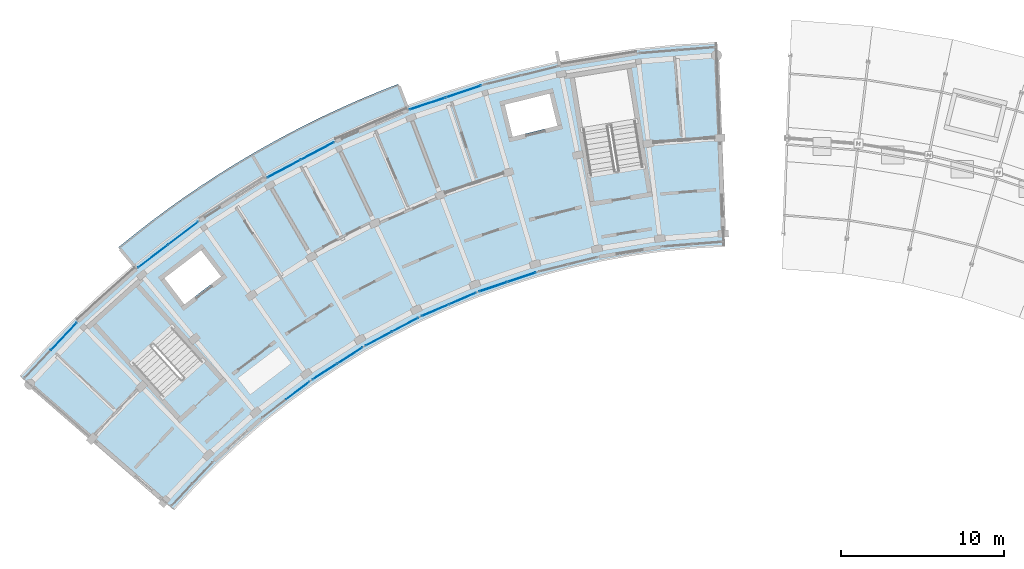
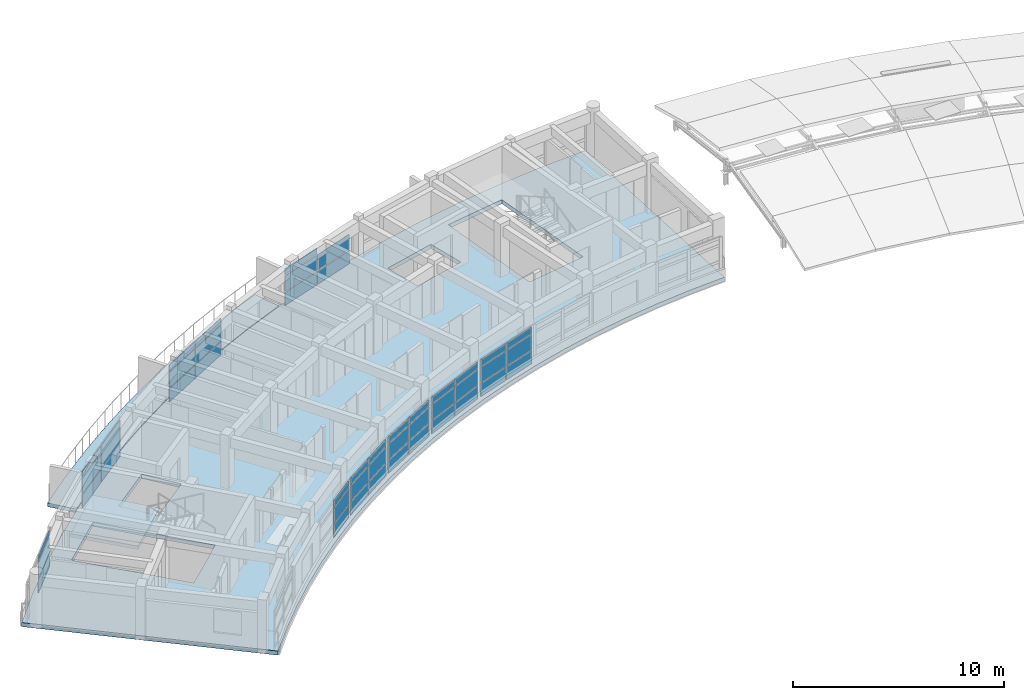
# One storey, part 12 of 20: 47 plates, 3 slabs, 10 elements without a shape of their own.
"""IFC4 building model written with IfcOpenShell, lengths in metres."""

from ifc_helpers import new_model, si_unit, direction, frame, origin, origin_2d, place, context, subcontext, project, spatial, polyline, rectangle, outline, extrude, material, layer, layer_set, type_object, element, aggregate, save


model = new_model("IFC4")

# Units and contexts
model_context = context("Model", 3, precision=1e-05, world=origin(), true_north=direction((0.0, 1.0)))
body_context = subcontext(model_context, "Body", "Model", "MODEL_VIEW")
ifc_project = project(units=[si_unit("LENGTHUNIT", "METRE"), si_unit("AREAUNIT", "SQUARE_METRE"), si_unit("VOLUMEUNIT", "CUBIC_METRE"), si_unit("PLANEANGLEUNIT", "RADIAN"), si_unit("MASSUNIT", "GRAM", prefix="KILO")], contexts=[model_context])

# Site, building, storey
site_placement = place(None, origin())
site = spatial("IfcSite", under=ifc_project, at=site_placement, CompositionType="ELEMENT")
building_placement = place(site_placement, origin())
building = spatial("IfcBuilding", under=site, at=building_placement, Name="Zimvara Arc Housing Community", CompositionType="ELEMENT")
storey_placement = place(building_placement, frame((0.0, 0.0, 39.10009765625)))
storey = spatial("IfcBuildingStorey", under=building, at=storey_placement, Name="L12", CompositionType="ELEMENT", Elevation=39.10009765625)

# Curtain wall, plates
ifc_material_1 = material(Name="Anodised Aluminium AW-6063", Category="aluminium")
curtain_wall_type_1 = type_object("IfcCurtainWallType", Name="CW-SYS-08", PredefinedType="USERDEFINED", material=ifc_material_1)
curtain_wall_1_placement = place(storey_placement, origin())
curtain_wall_1 = element("IfcCurtainWall", 1, at=curtain_wall_1_placement, inside=storey, type_object=curtain_wall_type_1, Name="cw:blkA:L12:out:b4", ObjectType="CURTAIN WALL", PredefinedType="USERDEFINED")
ifc_material_2 = material(Name="Pale-Gold Anodised Aluminium Spandrel Panel", Category="aluminium")
ifc_layer_1 = layer(ifc_material_2, 0.035888671875)
ifc_layer_set_1 = layer_set([ifc_layer_1], Name="Pale-Gold Anodised Aluminium Spandrel Panel")
plate_type_1 = type_object("IfcPlateType", Name="CWP-GLD-36", PredefinedType="CURTAIN_PANEL", material=ifc_layer_set_1)
plate_1_placement = place(storey_placement, frame((16.1708984375, 96.36865234375, 0.06494140625), z_axis=(0.0, 0.0, 1.0), x_axis=(0.883438614651, 0.468546917761, 0.0)))
plate_1 = element("IfcPlate", 2, at=plate_1_placement, type_object=plate_type_1, Name="CW08 panel 1.1", PredefinedType="CURTAIN_PANEL", context=body_context, shape_type="SweptSolid", body=[
    extrude(rectangle(XDim=2.266845703125, YDim=0.035888671875, at=origin_2d()), origin(), (0.0, 0.0, 1.0), 0.75244140625),
])
plate_2_placement = place(storey_placement, frame((16.1708984375, 96.36865234375, 0.88232421875), z_axis=(0.0, 0.0, 1.0), x_axis=(0.883438614651, 0.468546917761, 0.0)))
plate_2 = element("IfcPlate", 3, at=plate_2_placement, type_object=plate_type_1, Name="CW08 panel 1.2", PredefinedType="CURTAIN_PANEL", context=body_context, shape_type="SweptSolid", body=[
    extrude(rectangle(XDim=2.266845703125, YDim=0.035888671875, at=origin_2d()), origin(), (0.0, 0.0, 1.0), 0.885009765625),
])
plate_3_placement = place(storey_placement, frame((16.1708984375, 96.36865234375, 1.832275390625), z_axis=(0.0, 0.0, 1.0), x_axis=(0.883438614651, 0.468546917761, 0.0)))
plate_3 = element("IfcPlate", 4, at=plate_3_placement, type_object=plate_type_1, Name="CW08 panel 1.3", PredefinedType="CURTAIN_PANEL", context=body_context, shape_type="SweptSolid", body=[
    extrude(rectangle(XDim=2.266845703125, YDim=0.035888671875, at=origin_2d()), origin(), (0.0, 0.0, 1.0), 0.3525390625),
])
plate_4_placement = place(storey_placement, frame((18.23095703125, 97.461181640625, 0.06494140625), z_axis=(0.0, 0.0, 1.0), x_axis=(0.883438614651, 0.468546917761, 0.0)))
plate_4 = element("IfcPlate", 5, at=plate_4_placement, type_object=plate_type_1, Name="CW08 panel 2.1", PredefinedType="CURTAIN_PANEL", context=body_context, shape_type="SweptSolid", body=[
    extrude(rectangle(XDim=2.266845703125, YDim=0.035888671875, at=origin_2d()), origin(), (0.0, 0.0, 1.0), 0.75244140625),
])
plate_5_placement = place(storey_placement, frame((18.23095703125, 97.461181640625, 0.88232421875), z_axis=(0.0, 0.0, 1.0), x_axis=(0.883438614651, 0.468546917761, 0.0)))
plate_5 = element("IfcPlate", 6, at=plate_5_placement, type_object=plate_type_1, Name="CW08 panel 2.2", PredefinedType="CURTAIN_PANEL", context=body_context, shape_type="SweptSolid", body=[
    extrude(rectangle(XDim=2.266845703125, YDim=0.035888671875, at=origin_2d()), origin(), (0.0, 0.0, 1.0), 0.885009765625),
])
plate_6_placement = place(storey_placement, frame((18.23095703125, 97.461181640625, 1.832275390625), z_axis=(0.0, 0.0, 1.0), x_axis=(0.883438614651, 0.468546917761, 0.0)))
plate_6 = element("IfcPlate", 7, at=plate_6_placement, type_object=plate_type_1, Name="CW08 panel 2.3", PredefinedType="CURTAIN_PANEL", context=body_context, shape_type="SweptSolid", body=[
    extrude(rectangle(XDim=2.266845703125, YDim=0.035888671875, at=origin_2d()), origin(), (0.0, 0.0, 1.0), 0.3525390625),
])
aggregate(curtain_wall_1, [plate_1, plate_2, plate_3, plate_4, plate_5, plate_6])

ifc_material_3 = material(Name="Anodised Aluminium AW-6063", Category="aluminium")
curtain_wall_type_2 = type_object("IfcCurtainWallType", Name="CW-SYS-04", PredefinedType="USERDEFINED", material=ifc_material_3)
curtain_wall_2_placement = place(storey_placement, origin())
curtain_wall_2 = element("IfcCurtainWall", 8, at=curtain_wall_2_placement, inside=storey, type_object=curtain_wall_type_2, Name="cw:blkA:L12:in:b6", ObjectType="CURTAIN WALL", PredefinedType="USERDEFINED")
plate_7_placement = place(storey_placement, frame((29.029541015625, 89.1171875, 0.06494140625), z_axis=(0.0, 0.0, 1.0), x_axis=(0.94788021002, 0.318626909491, 0.0)))
plate_7 = element("IfcPlate", 9, at=plate_7_placement, type_object=plate_type_1, Name="CW04 panel 1.1", PredefinedType="CURTAIN_PANEL", context=body_context, shape_type="SweptSolid", body=[
    extrude(rectangle(XDim=1.778564453125, YDim=0.035888671875, at=origin_2d()), origin(), (0.0, 0.0, 1.0), 0.75244140625),
])
plate_8_placement = place(storey_placement, frame((29.029541015625, 89.1171875, 0.88232421875), z_axis=(0.0, 0.0, 1.0), x_axis=(0.94788021002, 0.318626909491, 0.0)))
plate_8 = element("IfcPlate", 10, at=plate_8_placement, type_object=plate_type_1, Name="CW04 panel 1.2", PredefinedType="CURTAIN_PANEL", context=body_context, shape_type="SweptSolid", body=[
    extrude(rectangle(XDim=1.778564453125, YDim=0.035888671875, at=origin_2d()), origin(), (0.0, 0.0, 1.0), 0.885009765625),
])
plate_9_placement = place(storey_placement, frame((29.029541015625, 89.1171875, 1.832275390625), z_axis=(0.0, 0.0, 1.0), x_axis=(0.94788021002, 0.318626909491, 0.0)))
plate_9 = element("IfcPlate", 11, at=plate_9_placement, type_object=plate_type_1, Name="CW04 panel 1.3", PredefinedType="CURTAIN_PANEL", context=body_context, shape_type="SweptSolid", body=[
    extrude(rectangle(XDim=1.778564453125, YDim=0.035888671875, at=origin_2d()), origin(), (0.0, 0.0, 1.0), 0.3525390625),
])
plate_10_placement = place(storey_placement, frame((30.777099609375, 89.70458984375, 0.06494140625), z_axis=(0.0, 0.0, 1.0), x_axis=(0.94788021002, 0.318626909491, 0.0)))
plate_10 = element("IfcPlate", 12, at=plate_10_placement, type_object=plate_type_1, Name="CW04 panel 2.1", PredefinedType="CURTAIN_PANEL", context=body_context, shape_type="SweptSolid", body=[
    extrude(rectangle(XDim=1.778564453125, YDim=0.035888671875, at=origin_2d()), origin(), (0.0, 0.0, 1.0), 0.75244140625),
])
plate_11_placement = place(storey_placement, frame((30.777099609375, 89.70458984375, 0.88232421875), z_axis=(0.0, 0.0, 1.0), x_axis=(0.94788021002, 0.318626909491, 0.0)))
plate_11 = element("IfcPlate", 13, at=plate_11_placement, type_object=plate_type_1, Name="CW04 panel 2.2", PredefinedType="CURTAIN_PANEL", context=body_context, shape_type="SweptSolid", body=[
    extrude(rectangle(XDim=1.778564453125, YDim=0.035888671875, at=origin_2d()), origin(), (0.0, 0.0, 1.0), 0.885009765625),
])
plate_12_placement = place(storey_placement, frame((30.777099609375, 89.70458984375, 1.832275390625), z_axis=(0.0, 0.0, 1.0), x_axis=(0.94788021002, 0.318626909491, 0.0)))
plate_12 = element("IfcPlate", 14, at=plate_12_placement, type_object=plate_type_1, Name="CW04 panel 2.3", PredefinedType="CURTAIN_PANEL", context=body_context, shape_type="SweptSolid", body=[
    extrude(rectangle(XDim=1.778564453125, YDim=0.035888671875, at=origin_2d()), origin(), (0.0, 0.0, 1.0), 0.3525390625),
])
aggregate(curtain_wall_2, [plate_7, plate_8, plate_9, plate_10, plate_11, plate_12])

ifc_material_4 = material(Name="Anodised Aluminium AW-6063", Category="aluminium")
curtain_wall_type_3 = type_object("IfcCurtainWallType", Name="CW-SYS-05", PredefinedType="USERDEFINED", material=ifc_material_4)
curtain_wall_3_placement = place(storey_placement, origin())
curtain_wall_3 = element("IfcCurtainWall", 15, at=curtain_wall_3_placement, inside=storey, type_object=curtain_wall_type_3, Name="cw:blkA:L12:out:b2", ObjectType="CURTAIN WALL", PredefinedType="USERDEFINED")
ifc_material_5 = material(Name="Solar Control Low-E Double Glazing", Category="glass")
ifc_layer_2 = layer(ifc_material_5, 0.02392578125)
ifc_layer_set_2 = layer_set([ifc_layer_2], Name="Solar Control Low-E Double Glazing")
plate_type_2 = type_object("IfcPlateType", Name="CWP-GLZ-24", PredefinedType="CURTAIN_PANEL", material=ifc_layer_set_2)
plate_13_placement = place(storey_placement, frame((8.118896484375, 90.9892578125, 0.06494140625), z_axis=(0.0, 0.0, 1.0), x_axis=(0.795473999177, 0.60598771987, 0.0)))
plate_13 = element("IfcPlate", 16, at=plate_13_placement, type_object=plate_type_2, Name="CW05 panel 1.1", PredefinedType="CURTAIN_PANEL", context=body_context, shape_type="SweptSolid", body=[
    extrude(rectangle(XDim=2.266845703125, YDim=0.02392578125, at=origin_2d()), origin(), (0.0, 0.0, 1.0), 0.75244140625),
])
plate_14_placement = place(storey_placement, frame((8.118896484375, 90.9892578125, 0.88232421875), z_axis=(0.0, 0.0, 1.0), x_axis=(0.795473999177, 0.60598771987, 0.0)))
plate_14 = element("IfcPlate", 17, at=plate_14_placement, type_object=plate_type_2, Name="CW05 panel 1.2", PredefinedType="CURTAIN_PANEL", context=body_context, shape_type="SweptSolid", body=[
    extrude(rectangle(XDim=2.266845703125, YDim=0.02392578125, at=origin_2d()), origin(), (0.0, 0.0, 1.0), 0.885009765625),
])
plate_15_placement = place(storey_placement, frame((8.118896484375, 90.9892578125, 1.832275390625), z_axis=(0.0, 0.0, 1.0), x_axis=(0.795473999177, 0.60598771987, 0.0)))
plate_15 = element("IfcPlate", 18, at=plate_15_placement, type_object=plate_type_2, Name="CW05 panel 1.3", PredefinedType="CURTAIN_PANEL", context=body_context, shape_type="SweptSolid", body=[
    extrude(rectangle(XDim=2.266845703125, YDim=0.02392578125, at=origin_2d()), origin(), (0.0, 0.0, 1.0), 0.3525390625),
])
plate_16_placement = place(storey_placement, frame((9.973876953125, 92.40234375, 0.06494140625), z_axis=(0.0, 0.0, 1.0), x_axis=(0.795473999177, 0.60598771987, 0.0)))
plate_16 = element("IfcPlate", 19, at=plate_16_placement, type_object=plate_type_2, Name="CW05 panel 2.1", PredefinedType="CURTAIN_PANEL", context=body_context, shape_type="SweptSolid", body=[
    extrude(rectangle(XDim=2.266845703125, YDim=0.02392578125, at=origin_2d()), origin(), (0.0, 0.0, 1.0), 0.75244140625),
])
plate_17_placement = place(storey_placement, frame((9.973876953125, 92.40234375, 0.88232421875), z_axis=(0.0, 0.0, 1.0), x_axis=(0.795473999177, 0.60598771987, 0.0)))
plate_17 = element("IfcPlate", 20, at=plate_17_placement, type_object=plate_type_2, Name="CW05 panel 2.2", PredefinedType="CURTAIN_PANEL", context=body_context, shape_type="SweptSolid", body=[
    extrude(rectangle(XDim=2.266845703125, YDim=0.02392578125, at=origin_2d()), origin(), (0.0, 0.0, 1.0), 0.885009765625),
])
plate_18_placement = place(storey_placement, frame((9.973876953125, 92.40234375, 1.832275390625), z_axis=(0.0, 0.0, 1.0), x_axis=(0.795473999177, 0.60598771987, 0.0)))
plate_18 = element("IfcPlate", 21, at=plate_18_placement, type_object=plate_type_2, Name="CW05 panel 2.3", PredefinedType="CURTAIN_PANEL", context=body_context, shape_type="SweptSolid", body=[
    extrude(rectangle(XDim=2.266845703125, YDim=0.02392578125, at=origin_2d()), origin(), (0.0, 0.0, 1.0), 0.3525390625),
])
aggregate(curtain_wall_3, [plate_13, plate_14, plate_15, plate_16, plate_17, plate_18])

ifc_material_6 = material(Name="Anodised Aluminium AW-6063", Category="aluminium")
curtain_wall_type_4 = type_object("IfcCurtainWallType", Name="CW-SYS-01", PredefinedType="USERDEFINED", material=ifc_material_6)
curtain_wall_4_placement = place(storey_placement, origin())
curtain_wall_4 = element("IfcCurtainWall", 22, at=curtain_wall_4_placement, inside=storey, type_object=curtain_wall_type_4, Name="cw:blkA:L12:in:b4", ObjectType="CURTAIN WALL", PredefinedType="USERDEFINED")
plate_19_placement = place(storey_placement, frame((21.985595703125, 85.92578125, 0.06494140625), z_axis=(0.0, 0.0, 1.0), x_axis=(0.883438518424, 0.468547099195, 0.0)))
plate_19 = element("IfcPlate", 23, at=plate_19_placement, type_object=plate_type_2, Name="CW01 panel 1.1", PredefinedType="CURTAIN_PANEL", context=body_context, shape_type="SweptSolid", body=[
    extrude(rectangle(XDim=1.778564453125, YDim=0.02392578125, at=origin_2d()), origin(), (0.0, 0.0, 1.0), 0.75244140625),
])
plate_20_placement = place(storey_placement, frame((21.985595703125, 85.92578125, 0.88232421875), z_axis=(0.0, 0.0, 1.0), x_axis=(0.883438518424, 0.468547099195, 0.0)))
plate_20 = element("IfcPlate", 24, at=plate_20_placement, type_object=plate_type_2, Name="CW01 panel 1.2", PredefinedType="CURTAIN_PANEL", context=body_context, shape_type="SweptSolid", body=[
    extrude(rectangle(XDim=1.778564453125, YDim=0.02392578125, at=origin_2d()), origin(), (0.0, 0.0, 1.0), 0.885009765625),
])
plate_21_placement = place(storey_placement, frame((21.985595703125, 85.92578125, 1.832275390625), z_axis=(0.0, 0.0, 1.0), x_axis=(0.883438518424, 0.468547099195, 0.0)))
plate_21 = element("IfcPlate", 25, at=plate_21_placement, type_object=plate_type_2, Name="CW01 panel 1.3", PredefinedType="CURTAIN_PANEL", context=body_context, shape_type="SweptSolid", body=[
    extrude(rectangle(XDim=1.778564453125, YDim=0.02392578125, at=origin_2d()), origin(), (0.0, 0.0, 1.0), 0.3525390625),
])
plate_22_placement = place(storey_placement, frame((23.614501953125, 86.78955078125, 0.06494140625), z_axis=(0.0, 0.0, 1.0), x_axis=(0.883438518424, 0.468547099195, 0.0)))
plate_22 = element("IfcPlate", 26, at=plate_22_placement, type_object=plate_type_2, Name="CW01 panel 2.1", PredefinedType="CURTAIN_PANEL", context=body_context, shape_type="SweptSolid", body=[
    extrude(rectangle(XDim=1.778564453125, YDim=0.02392578125, at=origin_2d()), origin(), (0.0, 0.0, 1.0), 0.75244140625),
])
plate_23_placement = place(storey_placement, frame((23.614501953125, 86.78955078125, 0.88232421875), z_axis=(0.0, 0.0, 1.0), x_axis=(0.883438518424, 0.468547099195, 0.0)))
plate_23 = element("IfcPlate", 27, at=plate_23_placement, type_object=plate_type_2, Name="CW01 panel 2.2", PredefinedType="CURTAIN_PANEL", context=body_context, shape_type="SweptSolid", body=[
    extrude(rectangle(XDim=1.778564453125, YDim=0.02392578125, at=origin_2d()), origin(), (0.0, 0.0, 1.0), 0.885009765625),
])
plate_24_placement = place(storey_placement, frame((23.614501953125, 86.78955078125, 1.832275390625), z_axis=(0.0, 0.0, 1.0), x_axis=(0.883438518424, 0.468547099195, 0.0)))
plate_24 = element("IfcPlate", 28, at=plate_24_placement, type_object=plate_type_2, Name="CW01 panel 2.3", PredefinedType="CURTAIN_PANEL", context=body_context, shape_type="SweptSolid", body=[
    extrude(rectangle(XDim=1.778564453125, YDim=0.02392578125, at=origin_2d()), origin(), (0.0, 0.0, 1.0), 0.3525390625),
])
aggregate(curtain_wall_4, [plate_19, plate_20, plate_21, plate_22, plate_23, plate_24])

ifc_material_7 = material(Name="Anodised Aluminium AW-6063", Category="aluminium")
curtain_wall_type_5 = type_object("IfcCurtainWallType", Name="CW-SYS-06", PredefinedType="USERDEFINED", material=ifc_material_7)
curtain_wall_5_placement = place(storey_placement, origin())
curtain_wall_5 = element("IfcCurtainWall", 29, at=curtain_wall_5_placement, inside=storey, type_object=curtain_wall_type_5, Name="cw:blkA:L12:in:b2", ObjectType="CURTAIN WALL", PredefinedType="USERDEFINED")
ifc_material_8 = material(Name="Solar Control Low-E Double Glazing", Category="glass")
ifc_layer_3 = layer(ifc_material_8, 0.028076171875)
ifc_layer_set_3 = layer_set([ifc_layer_3], Name="Solar Control Low-E Double Glazing")
plate_type_3 = type_object("IfcPlateType", Name="CWP-GLZ-28", PredefinedType="CURTAIN_PANEL", material=ifc_layer_set_3)
plate_25_placement = place(storey_placement, frame((17.021240234375, 82.74853515625, 0.06494140625), z_axis=(0.0, 0.0, 1.0), x_axis=(0.795473930895, 0.605987809503, 0.0)))
plate_25 = element("IfcPlate", 30, at=plate_25_placement, type_object=plate_type_3, Name="CW06 panel 2.1", PredefinedType="CURTAIN_PANEL", context=body_context, shape_type="SweptSolid", body=[
    extrude(rectangle(XDim=1.778564453125, YDim=0.028076171875, at=origin_2d()), origin(), (0.0, 0.0, 1.0), 0.75244140625),
])
plate_26_placement = place(storey_placement, frame((17.021240234375, 82.74853515625, 0.88232421875), z_axis=(0.0, 0.0, 1.0), x_axis=(0.795473930895, 0.605987809503, 0.0)))
plate_26 = element("IfcPlate", 31, at=plate_26_placement, type_object=plate_type_3, Name="CW06 panel 2.2", PredefinedType="CURTAIN_PANEL", context=body_context, shape_type="SweptSolid", body=[
    extrude(rectangle(XDim=1.778564453125, YDim=0.028076171875, at=origin_2d()), origin(), (0.0, 0.0, 1.0), 0.885009765625),
])
plate_27_placement = place(storey_placement, frame((17.021240234375, 82.74853515625, 1.832275390625), z_axis=(0.0, 0.0, 1.0), x_axis=(0.795473930895, 0.605987809503, 0.0)))
plate_27 = element("IfcPlate", 32, at=plate_27_placement, type_object=plate_type_3, Name="CW06 panel 2.3", PredefinedType="CURTAIN_PANEL", context=body_context, shape_type="SweptSolid", body=[
    extrude(rectangle(XDim=1.778564453125, YDim=0.028076171875, at=origin_2d()), origin(), (0.0, 0.0, 1.0), 0.3525390625),
])
aggregate(curtain_wall_5, [plate_25, plate_26, plate_27])

ifc_material_9 = material(Name="Anodised Aluminium AW-6063", Category="aluminium")
curtain_wall_type_6 = type_object("IfcCurtainWallType", Name="CW-SYS-02", PredefinedType="USERDEFINED", material=ifc_material_9)
curtain_wall_6_placement = place(storey_placement, origin())
curtain_wall_6 = element("IfcCurtainWall", 33, at=curtain_wall_6_placement, inside=storey, type_object=curtain_wall_type_6, Name="cw:blkA:L12:in:b5", ObjectType="CURTAIN WALL", PredefinedType="USERDEFINED")
plate_28_placement = place(storey_placement, frame((25.4423828125, 87.66552734375, 0.06494140625), z_axis=(0.0, 0.0, 1.0), x_axis=(0.918722411261, 0.394903951674, 0.0)))
plate_28 = element("IfcPlate", 34, at=plate_28_placement, type_object=plate_type_3, Name="CW02 panel 1.1", PredefinedType="CURTAIN_PANEL", context=body_context, shape_type="SweptSolid", body=[
    extrude(rectangle(XDim=1.778564453125, YDim=0.028076171875, at=origin_2d()), origin(), (0.0, 0.0, 1.0), 0.75244140625),
])
plate_29_placement = place(storey_placement, frame((25.4423828125, 87.66552734375, 0.88232421875), z_axis=(0.0, 0.0, 1.0), x_axis=(0.918722411261, 0.394903951674, 0.0)))
plate_29 = element("IfcPlate", 35, at=plate_29_placement, type_object=plate_type_3, Name="CW02 panel 1.2", PredefinedType="CURTAIN_PANEL", context=body_context, shape_type="SweptSolid", body=[
    extrude(rectangle(XDim=1.778564453125, YDim=0.028076171875, at=origin_2d()), origin(), (0.0, 0.0, 1.0), 0.885009765625),
])
plate_30_placement = place(storey_placement, frame((25.4423828125, 87.66552734375, 1.832275390625), z_axis=(0.0, 0.0, 1.0), x_axis=(0.918722411261, 0.394903951674, 0.0)))
plate_30 = element("IfcPlate", 36, at=plate_30_placement, type_object=plate_type_3, Name="CW02 panel 1.3", PredefinedType="CURTAIN_PANEL", context=body_context, shape_type="SweptSolid", body=[
    extrude(rectangle(XDim=1.778564453125, YDim=0.028076171875, at=origin_2d()), origin(), (0.0, 0.0, 1.0), 0.3525390625),
])
plate_31_placement = place(storey_placement, frame((27.13623046875, 88.3935546875, 0.06494140625), z_axis=(0.0, 0.0, 1.0), x_axis=(0.918722411261, 0.394903951674, 0.0)))
plate_31 = element("IfcPlate", 37, at=plate_31_placement, type_object=plate_type_3, Name="CW02 panel 2.1", PredefinedType="CURTAIN_PANEL", context=body_context, shape_type="SweptSolid", body=[
    extrude(rectangle(XDim=1.778564453125, YDim=0.028076171875, at=origin_2d()), origin(), (0.0, 0.0, 1.0), 0.75244140625),
])
plate_32_placement = place(storey_placement, frame((27.13623046875, 88.3935546875, 0.88232421875), z_axis=(0.0, 0.0, 1.0), x_axis=(0.918722411261, 0.394903951674, 0.0)))
plate_32 = element("IfcPlate", 38, at=plate_32_placement, type_object=plate_type_3, Name="CW02 panel 2.2", PredefinedType="CURTAIN_PANEL", context=body_context, shape_type="SweptSolid", body=[
    extrude(rectangle(XDim=1.778564453125, YDim=0.028076171875, at=origin_2d()), origin(), (0.0, 0.0, 1.0), 0.885009765625),
])
plate_33_placement = place(storey_placement, frame((27.13623046875, 88.3935546875, 1.832275390625), z_axis=(0.0, 0.0, 1.0), x_axis=(0.918722411261, 0.394903951674, 0.0)))
plate_33 = element("IfcPlate", 39, at=plate_33_placement, type_object=plate_type_3, Name="CW02 panel 2.3", PredefinedType="CURTAIN_PANEL", context=body_context, shape_type="SweptSolid", body=[
    extrude(rectangle(XDim=1.778564453125, YDim=0.028076171875, at=origin_2d()), origin(), (0.0, 0.0, 1.0), 0.3525390625),
])
aggregate(curtain_wall_6, [plate_28, plate_29, plate_30, plate_31, plate_32, plate_33])

ifc_material_10 = material(Name="Anodised Aluminium AW-6063", Category="aluminium")
curtain_wall_type_7 = type_object("IfcCurtainWallType", Name="CW-SYS-03", PredefinedType="USERDEFINED", material=ifc_material_10)
curtain_wall_7_placement = place(storey_placement, origin())
curtain_wall_7 = element("IfcCurtainWall", 40, at=curtain_wall_7_placement, inside=storey, type_object=curtain_wall_type_7, Name="cw:blkA:L12:out:b0", ObjectType="CURTAIN WALL", PredefinedType="USERDEFINED")
ifc_material_11 = material(Name="Acoustic Laminated Solar Glazing", Category="glass")
ifc_layer_4 = layer(ifc_material_11, 0.031982421875)
ifc_layer_set_4 = layer_set([ifc_layer_4], Name="Acoustic Laminated Solar Glazing")
plate_type_4 = type_object("IfcPlateType", Name="CWP-GLZ-32", PredefinedType="CURTAIN_PANEL", material=ifc_layer_set_4)
plate_34_placement = place(storey_placement, frame((2.649658203125, 86.068115234375, 0.06494140625), z_axis=(0.0, 0.0, 1.0), x_axis=(0.686326416495, 0.727293647725, 0.0)))
plate_34 = element("IfcPlate", 41, at=plate_34_placement, type_object=plate_type_4, Name="CW03 panel 2.1", PredefinedType="CURTAIN_PANEL", context=body_context, shape_type="SweptSolid", body=[
    extrude(rectangle(XDim=2.266845703125, YDim=0.031982421875, at=origin_2d()), origin(), (0.0, 0.0, 1.0), 0.75244140625),
])
plate_35_placement = place(storey_placement, frame((2.649658203125, 86.068115234375, 0.88232421875), z_axis=(0.0, 0.0, 1.0), x_axis=(0.686326416495, 0.727293647725, 0.0)))
plate_35 = element("IfcPlate", 42, at=plate_35_placement, type_object=plate_type_4, Name="CW03 panel 2.2", PredefinedType="CURTAIN_PANEL", context=body_context, shape_type="SweptSolid", body=[
    extrude(rectangle(XDim=2.266845703125, YDim=0.031982421875, at=origin_2d()), origin(), (0.0, 0.0, 1.0), 0.885009765625),
])
plate_36_placement = place(storey_placement, frame((2.649658203125, 86.068115234375, 1.832275390625), z_axis=(0.0, 0.0, 1.0), x_axis=(0.686326416495, 0.727293647725, 0.0)))
plate_36 = element("IfcPlate", 43, at=plate_36_placement, type_object=plate_type_4, Name="CW03 panel 2.3", PredefinedType="CURTAIN_PANEL", context=body_context, shape_type="SweptSolid", body=[
    extrude(rectangle(XDim=2.266845703125, YDim=0.031982421875, at=origin_2d()), origin(), (0.0, 0.0, 1.0), 0.3525390625),
])
aggregate(curtain_wall_7, [plate_34, plate_35, plate_36])

ifc_material_12 = material(Name="Anodised Aluminium AW-6063", Category="aluminium")
curtain_wall_type_8 = type_object("IfcCurtainWallType", Name="CW-SYS-07", PredefinedType="USERDEFINED", material=ifc_material_12)
curtain_wall_8_placement = place(storey_placement, origin())
curtain_wall_8 = element("IfcCurtainWall", 44, at=curtain_wall_8_placement, inside=storey, type_object=curtain_wall_type_8, Name="cw:blkA:L12:in:b3", ObjectType="CURTAIN WALL", PredefinedType="USERDEFINED")
plate_37_placement = place(storey_placement, frame((18.682373046875, 83.909912109375, 0.06494140625), z_axis=(0.0, 0.0, 1.0), x_axis=(0.842264092079, 0.539065115913, 0.0)))
plate_37 = element("IfcPlate", 45, at=plate_37_placement, type_object=plate_type_4, Name="CW07 panel 1.1", PredefinedType="CURTAIN_PANEL", context=body_context, shape_type="SweptSolid", body=[
    extrude(rectangle(XDim=1.778564453125, YDim=0.031982421875, at=origin_2d()), origin(), (0.0, 0.0, 1.0), 0.75244140625),
])
plate_38_placement = place(storey_placement, frame((18.682373046875, 83.909912109375, 0.88232421875), z_axis=(0.0, 0.0, 1.0), x_axis=(0.842264092079, 0.539065115913, 0.0)))
plate_38 = element("IfcPlate", 46, at=plate_38_placement, type_object=plate_type_4, Name="CW07 panel 1.2", PredefinedType="CURTAIN_PANEL", context=body_context, shape_type="SweptSolid", body=[
    extrude(rectangle(XDim=1.778564453125, YDim=0.031982421875, at=origin_2d()), origin(), (0.0, 0.0, 1.0), 0.885009765625),
])
plate_39_placement = place(storey_placement, frame((18.682373046875, 83.909912109375, 1.832275390625), z_axis=(0.0, 0.0, 1.0), x_axis=(0.842264092079, 0.539065115913, 0.0)))
plate_39 = element("IfcPlate", 47, at=plate_39_placement, type_object=plate_type_4, Name="CW07 panel 1.3", PredefinedType="CURTAIN_PANEL", context=body_context, shape_type="SweptSolid", body=[
    extrude(rectangle(XDim=1.778564453125, YDim=0.031982421875, at=origin_2d()), origin(), (0.0, 0.0, 1.0), 0.3525390625),
])
plate_40_placement = place(storey_placement, frame((20.2353515625, 84.90380859375, 0.06494140625), z_axis=(0.0, 0.0, 1.0), x_axis=(0.842264092079, 0.539065115913, 0.0)))
plate_40 = element("IfcPlate", 48, at=plate_40_placement, type_object=plate_type_4, Name="CW07 panel 2.1", PredefinedType="CURTAIN_PANEL", context=body_context, shape_type="SweptSolid", body=[
    extrude(rectangle(XDim=1.778564453125, YDim=0.031982421875, at=origin_2d()), origin(), (0.0, 0.0, 1.0), 0.75244140625),
])
plate_41_placement = place(storey_placement, frame((20.2353515625, 84.90380859375, 0.88232421875), z_axis=(0.0, 0.0, 1.0), x_axis=(0.842264092079, 0.539065115913, 0.0)))
plate_41 = element("IfcPlate", 49, at=plate_41_placement, type_object=plate_type_4, Name="CW07 panel 2.2", PredefinedType="CURTAIN_PANEL", context=body_context, shape_type="SweptSolid", body=[
    extrude(rectangle(XDim=1.778564453125, YDim=0.031982421875, at=origin_2d()), origin(), (0.0, 0.0, 1.0), 0.885009765625),
])
plate_42_placement = place(storey_placement, frame((20.2353515625, 84.90380859375, 1.832275390625), z_axis=(0.0, 0.0, 1.0), x_axis=(0.842264092079, 0.539065115913, 0.0)))
plate_42 = element("IfcPlate", 50, at=plate_42_placement, type_object=plate_type_4, Name="CW07 panel 2.3", PredefinedType="CURTAIN_PANEL", context=body_context, shape_type="SweptSolid", body=[
    extrude(rectangle(XDim=1.778564453125, YDim=0.031982421875, at=origin_2d()), origin(), (0.0, 0.0, 1.0), 0.3525390625),
])
aggregate(curtain_wall_8, [plate_37, plate_38, plate_39, plate_40, plate_41, plate_42])

curtain_wall_9_placement = place(storey_placement, origin())
curtain_wall_9 = element("IfcCurtainWall", 51, at=curtain_wall_9_placement, inside=storey, type_object=curtain_wall_type_7, Name="cw:blkA:L12:out:b6", ObjectType="CURTAIN WALL", PredefinedType="USERDEFINED")
plate_43_placement = place(storey_placement, frame((24.990478515625, 100.36669921875, 0.06494140625), z_axis=(0.0, 0.0, 1.0), x_axis=(0.947879647164, 0.318628583921, 0.0)))
plate_43 = element("IfcPlate", 52, at=plate_43_placement, type_object=plate_type_4, Name="CW03 panel 1.1", PredefinedType="CURTAIN_PANEL", context=body_context, shape_type="SweptSolid", body=[
    extrude(rectangle(XDim=2.266845703125, YDim=0.031982421875, at=origin_2d()), origin(), (0.0, 0.0, 1.0), 0.75244140625),
])
plate_44_placement = place(storey_placement, frame((24.990478515625, 100.36669921875, 0.88232421875), z_axis=(0.0, 0.0, 1.0), x_axis=(0.947879647164, 0.318628583921, 0.0)))
plate_44 = element("IfcPlate", 53, at=plate_44_placement, type_object=plate_type_4, Name="CW03 panel 1.2", PredefinedType="CURTAIN_PANEL", context=body_context, shape_type="SweptSolid", body=[
    extrude(rectangle(XDim=2.266845703125, YDim=0.031982421875, at=origin_2d()), origin(), (0.0, 0.0, 1.0), 0.885009765625),
])
plate_45_placement = place(storey_placement, frame((24.990478515625, 100.36669921875, 1.832275390625), z_axis=(0.0, 0.0, 1.0), x_axis=(0.947879647164, 0.318628583921, 0.0)))
plate_45 = element("IfcPlate", 54, at=plate_45_placement, type_object=plate_type_4, Name="CW03 panel 1.3", PredefinedType="CURTAIN_PANEL", context=body_context, shape_type="SweptSolid", body=[
    extrude(rectangle(XDim=2.266845703125, YDim=0.031982421875, at=origin_2d()), origin(), (0.0, 0.0, 1.0), 0.3525390625),
])
plate_46_placement = place(storey_placement, frame((27.200927734375, 101.109619140625, 0.06494140625), z_axis=(0.0, 0.0, 1.0), x_axis=(0.947879647164, 0.318628583921, 0.0)))
plate_46 = element("IfcPlate", 55, at=plate_46_placement, type_object=plate_type_4, Name="CW03 panel 2.1", PredefinedType="CURTAIN_PANEL", context=body_context, shape_type="SweptSolid", body=[
    extrude(rectangle(XDim=2.266845703125, YDim=0.031982421875, at=origin_2d()), origin(), (0.0, 0.0, 1.0), 0.75244140625),
])
plate_47_placement = place(storey_placement, frame((27.200927734375, 101.109619140625, 0.88232421875), z_axis=(0.0, 0.0, 1.0), x_axis=(0.947879647164, 0.318628583921, 0.0)))
plate_47 = element("IfcPlate", 56, at=plate_47_placement, type_object=plate_type_4, Name="CW03 panel 2.2", PredefinedType="CURTAIN_PANEL", context=body_context, shape_type="SweptSolid", body=[
    extrude(rectangle(XDim=2.266845703125, YDim=0.031982421875, at=origin_2d()), origin(), (0.0, 0.0, 1.0), 0.885009765625),
])
aggregate(curtain_wall_9, [plate_43, plate_44, plate_45, plate_46, plate_47])

# Stair, slab
ifc_material_13 = material(Name="Concrete C35/45", Category="concrete")
stair_type = type_object("IfcStairType", Name="STR-DL-312-310", PredefinedType="HALF_TURN_STAIR", material=ifc_material_13)
stair_placement = place(storey_placement, origin())
stair = element("IfcStair", 57, at=stair_placement, inside=storey, type_object=stair_type, Name="L12 Block A Exit Stair 1", PredefinedType="HALF_TURN_STAIR")
ifc_material_14 = material(Name="Concrete C35/45", Category="concrete")
ifc_layer_5 = layer(ifc_material_14, 0.199951171875)
ifc_layer_set_5 = layer_set([ifc_layer_5], Name="Concrete C35/45")
slab_type_1 = type_object("IfcSlabType", Name="SLB-STAIR-LND-200", PredefinedType="LANDING", material=ifc_layer_set_5)
slab_1_placement = place(storey_placement, frame((0.0, 0.0, 1.349853515625)))
slab_1 = element("IfcSlab", 58, at=slab_1_placement, type_object=slab_type_1, Name="ST-A1 landing 1", PredefinedType="LANDING", context=body_context, shape_type="SweptSolid", body=[
    extrude(outline(polyline([(9.3486328125, 86.634521484375), (7.09326171875, 89.14111328125), (4.595458984375, 86.8935546875), (6.850830078125, 84.386962890625), (9.3486328125, 86.634521484375)])), origin(), (0.0, 0.0, 1.0), 0.199951171875),
])
aggregate(stair, [slab_1])

# Slabs
ifc_material_15 = material(Name="Concrete C35/45", Category="concrete")
ifc_layer_6 = layer(ifc_material_15, 0.2099609375)
ifc_layer_set_6 = layer_set([ifc_layer_6], Name="Concrete C35/45")
slab_type_2 = type_object("IfcSlabType", Name="SLB-TER-210", PredefinedType="FLOOR", material=ifc_layer_set_6)
slab_2_placement = place(storey_placement, frame((0.0, 0.0, -0.210205078125)))
element("IfcSlab", 59, at=slab_2_placement, inside=storey, type_object=slab_type_2, Name="slab:blkA:L12:bal_out", PredefinedType="FLOOR", context=body_context, shape_type="SweptSolid", body=[
    extrude(outline(polyline([(6.0205078125, 91.55126953125), (6.958251953125, 90.419189453125), (6.958740234375, 90.41943359375), (8.864501953125, 91.93359375), (8.865478515625, 91.9345703125), (10.831298828125, 93.36962890625), (10.832275390625, 93.370361328125), (12.85498046875, 94.723876953125), (12.856201171875, 94.724609375), (14.932373046875, 95.994384765625), (14.93359375, 95.9951171875), (17.06005859375, 97.17919921875), (17.06103515625, 97.1796875), (19.234130859375, 98.27587890625), (19.2353515625, 98.276611328125), (21.451416015625, 99.283203125), (21.452392578125, 99.28369140625), (23.707763671875, 100.198974609375), (23.708251953125, 100.19921875), (23.183349609375, 101.572265625), (22.0224609375, 101.114990234375), (20.871337890625, 100.634033203125), (19.730224609375, 100.129638671875), (18.599609375, 99.60205078125), (17.47998046875, 99.051513671875), (16.371826171875, 98.47802734375), (15.275634765625, 97.88232421875), (14.19189453125, 97.26416015625), (13.120849609375, 96.624267578125), (12.063232421875, 95.96240234375), (11.019287109375, 95.279052734375), (9.989501953125, 94.57470703125), (8.974365234375, 93.849365234375), (7.97412109375, 93.103515625), (6.989501953125, 92.337158203125), (6.0205078125, 91.55126953125)])), origin(), (0.0, 0.0, 1.0), 0.210205078125),
])
ifc_material_16 = material(Name="Concrete C35/45", Category="concrete")
ifc_layer_7 = layer(ifc_material_16, 0.239990234375)
ifc_layer_set_7 = layer_set([ifc_layer_7], Name="Concrete C35/45")
slab_type_3 = type_object("IfcSlabType", Name="SLB-TYP-240", PredefinedType="FLOOR", material=ifc_layer_set_7)
slab_3_placement = place(storey_placement, frame((0.0, 0.0, -0.239990234375)))
element("IfcSlab", 60, at=slab_3_placement, inside=storey, type_object=slab_type_3, Name="slab:blkA:L12:main", PredefinedType="FLOOR", context=body_context, shape_type="SweptSolid", body=[
    extrude(outline(polyline([(9.377685546875, 75.466064453125), (10.671630859375, 76.89453125), (12.02294921875, 78.269287109375), (13.42919921875, 79.58740234375), (14.88818359375, 80.84716796875), (16.3974609375, 82.04638671875), (17.9541015625, 83.182861328125), (19.55615234375, 84.2548828125), (21.200439453125, 85.260498046875), (22.884521484375, 86.1982421875), (24.60546875, 87.06640625), (26.360595703125, 87.86376953125), (28.146484375, 88.588623046875), (29.960693359375, 89.239990234375), (31.800048828125, 89.816650390625), (33.6611328125, 90.31787109375), (35.54150390625, 90.74267578125), (37.437255859375, 91.090087890625), (39.345947265625, 91.360107421875), (41.263916015625, 91.552001953125), (43.18798828125, 91.665283203125), (42.712158203125, 104.05615234375), (40.282470703125, 103.9130859375), (37.860595703125, 103.6708984375), (35.450439453125, 103.330078125), (33.056640625, 102.89111328125), (30.682373046875, 102.354736328125), (28.332275390625, 101.721923828125), (26.009765625, 100.99365234375), (23.718994140625, 100.171142578125), (21.463623046875, 99.255859375), (19.247802734375, 98.249267578125), (17.07470703125, 97.15283203125), (14.947998046875, 95.96875), (12.871826171875, 94.698974609375), (10.848876953125, 93.34521484375), (8.883056640625, 91.91015625), (6.9775390625, 90.39599609375), (5.13525390625, 88.805419921875), (3.359619140625, 87.140869140625), (1.6533203125, 85.405029296875), (0.019287109375, 83.60107421875), (9.377685546875, 75.466064453125)]), holes=[polyline([(8.73193359375, 82.356201171875), (4.65185546875, 86.890625), (7.090087890625, 89.08447265625), (11.17041015625, 84.550048828125), (8.73193359375, 82.356201171875)]), polyline([(34.9853515625, 95.960205078125), (34.008056640625, 101.9814453125), (37.24560546875, 102.507080078125), (38.222900390625, 96.48583984375), (34.9853515625, 95.960205078125)]), polyline([(10.05615234375, 88.02685546875), (8.820068359375, 89.649658203125), (11.0791015625, 91.37060546875), (12.3154296875, 89.747802734375), (10.05615234375, 88.02685546875)]), polyline([(30.216796875, 98.324951171875), (29.726806640625, 100.30517578125), (32.483642578125, 100.9873046875), (32.9736328125, 99.007080078125), (30.216796875, 98.324951171875)])]), origin(), (0.0, 0.0, 1.0), 0.239990234375),
])

save(model, "model.ifc")
